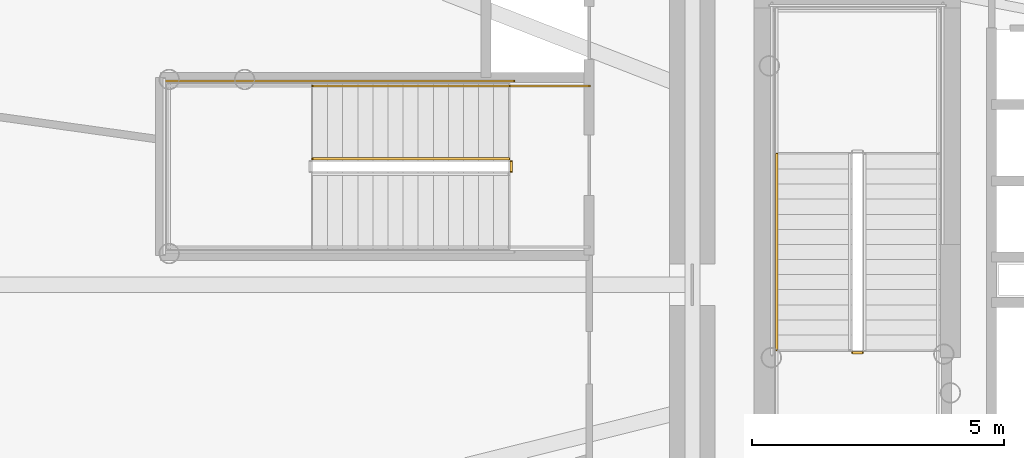
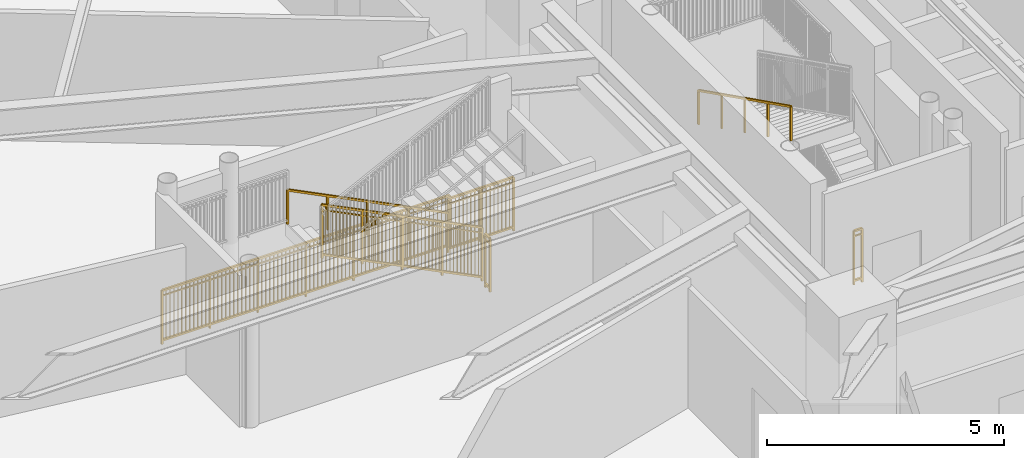
# One storey, part 20 of 27: 7 railings.
"""IFC4 building model written with IfcOpenShell, lengths in metres."""

from ifc_helpers import new_model, si_unit, direction, frame, origin, origin_2d, place, context, subcontext, project, spatial, rectangle, extrude, source, transform, mapped, material, type_object, element, save


model = new_model("IFC4")

# Units and contexts
model_context = context("Model", 3, precision=1e-05, world=origin(), true_north=direction((0.0, 1.0)))
body_context = subcontext(model_context, "Body", "Model", "MODEL_VIEW")
ifc_project = project(units=[si_unit("LENGTHUNIT", "METRE"), si_unit("AREAUNIT", "SQUARE_METRE"), si_unit("VOLUMEUNIT", "CUBIC_METRE"), si_unit("PLANEANGLEUNIT", "RADIAN"), si_unit("MASSUNIT", "GRAM", prefix="KILO")], contexts=[model_context])

# Site, building, storey
site_placement = place(None, origin())
site = spatial("IfcSite", under=ifc_project, at=site_placement, CompositionType="ELEMENT")
building_placement = place(site_placement, origin())
building = spatial("IfcBuilding", under=site, at=building_placement, Name="Linh Dai School and Residence Tower", CompositionType="ELEMENT")
storey_placement = place(building_placement, frame((0.0, 0.0, 18.60009765625)))
storey = spatial("IfcBuildingStorey", under=building, at=storey_placement, Name="L04", CompositionType="ELEMENT", Elevation=18.60009765625)

# Railings
ifc_material_1 = material(Name="Structural Steel S355JR", Category="steel")
railing_type_1 = type_object("IfcRailingType", Name="RL-ST-GUARD-1400", PredefinedType="GUARDRAIL", material=ifc_material_1)
shared_shape_1 = source(origin(), body_context, "Body", "SweptSolid", [
    extrude(rectangle(XDim=0.048095703125, YDim=0.048095703125, at=origin_2d()), frame((0.0, 0.0, 1.3759765625), z_axis=(-1.0, 0.0, 0.0), x_axis=(0.0, -1.0, 0.0)), (0.0, 0.0, 1.0), 0.199951171875),
    extrude(rectangle(XDim=0.048095703125, YDim=0.048095703125, at=origin_2d()), frame((0.0, 0.0, 0.10009765625), z_axis=(-1.0, 0.0, 0.0), x_axis=(0.0, -1.0, 0.0)), (0.0, 0.0, 1.0), 0.199951171875),
    extrude(rectangle(XDim=0.030029296875, YDim=0.030029296875, at=origin_2d()), frame((0.0, 0.0, 1.239990234375), z_axis=(-1.0, 0.0, 0.0), x_axis=(0.0, -1.0, 0.0)), (0.0, 0.0, 1.0), 0.199951171875),
    extrude(rectangle(XDim=0.0419921875, YDim=0.0419921875, at=origin_2d()), origin(), (0.0, 0.0, 1.0), 1.3759765625),
    extrude(rectangle(XDim=0.0419921875, YDim=0.0419921875, at=origin_2d()), frame((-0.199951171875, 0.0, 0.0)), (0.0, 0.0, 1.0), 1.3759765625),
])
railing_1_placement = place(storey_placement, frame((29.429931640625, 25.64990234375, 0.0)))
element("IfcRailing", 1, at=railing_1_placement, inside=storey, type_object=railing_type_1, Name="L04 ST1 stair guard 7", PredefinedType="GUARDRAIL", context=body_context, shape_type="MappedRepresentation", body=[
    mapped(shared_shape_1, transform((0.0, 0.0, 0.0), x_axis=(1.0, 0.0, 0.0), y_axis=(0.0, 1.0, 0.0), z_axis=(0.0, 0.0, 1.0), scale=1.0)),
])
ifc_material_2 = material(Name="Brushed Stainless Steel Handrail", Category="steel")
railing_type_2 = type_object("IfcRailingType", Name="RL-ST-HANDRAIL-900", PredefinedType="HANDRAIL", material=ifc_material_2)
shared_shape_2 = source(origin(), body_context, "Body", "SweptSolid", [
    extrude(rectangle(XDim=0.048095703125, YDim=0.048095703125, at=origin_2d()), frame((0.0, 0.0, 0.8759765625), z_axis=(0.0, -0.894438388696, 0.447191199406), x_axis=(1.0, 0.0, 0.0)), (0.0, 0.0, 1.0), 4.3603515625),
    extrude(rectangle(XDim=0.0419921875, YDim=0.0419921875, at=origin_2d()), origin(), (0.0, 0.0, 1.0), 0.8759765625),
    extrude(rectangle(XDim=0.0419921875, YDim=0.0419921875, at=origin_2d()), frame((0.0, -0.97509765625, 0.487548828125)), (0.0, 0.0, 1.0), 0.8759765625),
    extrude(rectangle(XDim=0.0419921875, YDim=0.0419921875, at=origin_2d()), frame((0.0, -1.9501953125, 0.97509765625)), (0.0, 0.0, 1.0), 0.8759765625),
    extrude(rectangle(XDim=0.0419921875, YDim=0.0419921875, at=origin_2d()), frame((0.0, -2.925048828125, 1.46240234375)), (0.0, 0.0, 1.0), 0.8759765625),
    extrude(rectangle(XDim=0.0419921875, YDim=0.0419921875, at=origin_2d()), frame((0.0, -3.900146484375, 1.949951171875)), (0.0, 0.0, 1.0), 0.8759765625),
])
railing_2_placement = place(storey_placement, frame((27.72998046875, 29.60009765625, 2.25)))
element("IfcRailing", 2, at=railing_2_placement, inside=storey, type_object=railing_type_2, Name="L04 ST1 stair handrail 2", PredefinedType="HANDRAIL", context=body_context, shape_type="MappedRepresentation", body=[
    mapped(shared_shape_2, transform((0.0, 0.0, 0.0), x_axis=(1.0, 0.0, 0.0), y_axis=(0.0, 1.0, 0.0), z_axis=(0.0, 0.0, 1.0), scale=1.0)),
])
shared_shape_3 = source(origin(), body_context, "Body", "SweptSolid", [
    extrude(rectangle(XDim=0.048095703125, YDim=0.048095703125, at=origin_2d()), frame((0.0, 0.0, 1.3759765625), z_axis=(0.0, -1.0, 0.0), x_axis=(1.0, 0.0, 0.0)), (0.0, 0.0, 1.0), 0.199951171875),
    extrude(rectangle(XDim=0.048095703125, YDim=0.048095703125, at=origin_2d()), frame((0.0, 0.0, 0.10009765625), z_axis=(0.0, -1.0, 0.0), x_axis=(1.0, 0.0, 0.0)), (0.0, 0.0, 1.0), 0.199951171875),
    extrude(rectangle(XDim=0.030029296875, YDim=0.030029296875, at=origin_2d()), frame((0.0, 0.0, 1.239990234375), z_axis=(0.0, -1.0, 0.0), x_axis=(1.0, 0.0, 0.0)), (0.0, 0.0, 1.0), 0.199951171875),
    extrude(rectangle(XDim=0.0419921875, YDim=0.0419921875, at=origin_2d()), origin(), (0.0, 0.0, 1.0), 1.3759765625),
    extrude(rectangle(XDim=0.0419921875, YDim=0.0419921875, at=origin_2d()), frame((0.0, -0.199951171875, 0.0)), (0.0, 0.0, 1.0), 1.3759765625),
])
railing_3_placement = place(storey_placement, frame((22.449951171875, 29.449951171875, 0.0)))
element("IfcRailing", 3, at=railing_3_placement, inside=storey, type_object=railing_type_1, Name="L04 STS1 stair guard 7", PredefinedType="GUARDRAIL", context=body_context, shape_type="MappedRepresentation", body=[
    mapped(shared_shape_3, transform((0.0, 0.0, 0.0), x_axis=(1.0, 0.0, 0.0), y_axis=(0.0, 1.0, 0.0), z_axis=(0.0, 0.0, 1.0), scale=1.0)),
])
shared_shape_4 = source(origin(), body_context, "Body", "SweptSolid", [
    extrude(rectangle(XDim=0.048095703125, YDim=0.048095703125, at=origin_2d()), frame((0.0, 0.0, 1.3759765625), z_axis=(-1.0, 0.0, 0.0), x_axis=(0.0, -1.0, 0.0)), (0.0, 0.0, 1.0), 1.60009765625),
    extrude(rectangle(XDim=0.048095703125, YDim=0.048095703125, at=origin_2d()), frame((0.0, 0.0, 0.10009765625), z_axis=(-1.0, 0.0, 0.0), x_axis=(0.0, -1.0, 0.0)), (0.0, 0.0, 1.0), 1.60009765625),
    extrude(rectangle(XDim=0.030029296875, YDim=0.030029296875, at=origin_2d()), frame((0.0, 0.0, 1.239990234375), z_axis=(-1.0, 0.0, 0.0), x_axis=(0.0, -1.0, 0.0)), (0.0, 0.0, 1.0), 1.60009765625),
    extrude(rectangle(XDim=0.02001953125, YDim=0.02001953125, at=origin_2d()), frame((-0.09423828125, 0.0, 0.10009765625)), (0.0, 0.0, 1.0), 1.251708984375),
    extrude(rectangle(XDim=0.02001953125, YDim=0.02001953125, at=origin_2d()), frame((-0.188232421875, 0.0, 0.10009765625)), (0.0, 0.0, 1.0), 1.251708984375),
    extrude(rectangle(XDim=0.02001953125, YDim=0.02001953125, at=origin_2d()), frame((-0.282470703125, 0.0, 0.10009765625)), (0.0, 0.0, 1.0), 1.251708984375),
    extrude(rectangle(XDim=0.02001953125, YDim=0.02001953125, at=origin_2d()), frame((-0.37646484375, 0.0, 0.10009765625)), (0.0, 0.0, 1.0), 1.251708984375),
    extrude(rectangle(XDim=0.02001953125, YDim=0.02001953125, at=origin_2d()), frame((-0.470703125, 0.0, 0.10009765625)), (0.0, 0.0, 1.0), 1.251708984375),
    extrude(rectangle(XDim=0.02001953125, YDim=0.02001953125, at=origin_2d()), frame((-0.564697265625, 0.0, 0.10009765625)), (0.0, 0.0, 1.0), 1.251708984375),
    extrude(rectangle(XDim=0.02001953125, YDim=0.02001953125, at=origin_2d()), frame((-0.658935546875, 0.0, 0.10009765625)), (0.0, 0.0, 1.0), 1.251708984375),
    extrude(rectangle(XDim=0.02001953125, YDim=0.02001953125, at=origin_2d()), frame((-0.7529296875, 0.0, 0.10009765625)), (0.0, 0.0, 1.0), 1.251708984375),
    extrude(rectangle(XDim=0.02001953125, YDim=0.02001953125, at=origin_2d()), frame((-0.84716796875, 0.0, 0.10009765625)), (0.0, 0.0, 1.0), 1.251708984375),
    extrude(rectangle(XDim=0.02001953125, YDim=0.02001953125, at=origin_2d()), frame((-0.941162109375, 0.0, 0.10009765625)), (0.0, 0.0, 1.0), 1.251708984375),
    extrude(rectangle(XDim=0.02001953125, YDim=0.02001953125, at=origin_2d()), frame((-1.035400390625, 0.0, 0.10009765625)), (0.0, 0.0, 1.0), 1.251708984375),
    extrude(rectangle(XDim=0.02001953125, YDim=0.02001953125, at=origin_2d()), frame((-1.12939453125, 0.0, 0.10009765625)), (0.0, 0.0, 1.0), 1.251708984375),
    extrude(rectangle(XDim=0.02001953125, YDim=0.02001953125, at=origin_2d()), frame((-1.2236328125, 0.0, 0.10009765625)), (0.0, 0.0, 1.0), 1.251708984375),
    extrude(rectangle(XDim=0.02001953125, YDim=0.02001953125, at=origin_2d()), frame((-1.317626953125, 0.0, 0.10009765625)), (0.0, 0.0, 1.0), 1.251708984375),
    extrude(rectangle(XDim=0.02001953125, YDim=0.02001953125, at=origin_2d()), frame((-1.411865234375, 0.0, 0.10009765625)), (0.0, 0.0, 1.0), 1.251708984375),
    extrude(rectangle(XDim=0.02001953125, YDim=0.02001953125, at=origin_2d()), frame((-1.505859375, 0.0, 0.10009765625)), (0.0, 0.0, 1.0), 1.251708984375),
    extrude(rectangle(XDim=0.0419921875, YDim=0.0419921875, at=origin_2d()), origin(), (0.0, 0.0, 1.0), 1.3759765625),
    extrude(rectangle(XDim=0.0419921875, YDim=0.0419921875, at=origin_2d()), frame((-0.800048828125, 0.0, 0.0)), (0.0, 0.0, 1.0), 1.3759765625),
    extrude(rectangle(XDim=0.0419921875, YDim=0.0419921875, at=origin_2d()), frame((-1.60009765625, 0.0, 0.0)), (0.0, 0.0, 1.0), 1.3759765625),
])
railing_4_placement = place(storey_placement, frame((24.0, 30.949951171875, 0.0)))
element("IfcRailing", 4, at=railing_4_placement, inside=storey, type_object=railing_type_1, Name="L04 STS1 stair guard 8", PredefinedType="GUARDRAIL", context=body_context, shape_type="MappedRepresentation", body=[
    mapped(shared_shape_4, transform((0.0, 0.0, 0.0), x_axis=(1.0, 0.0, 0.0), y_axis=(0.0, 1.0, 0.0), z_axis=(0.0, 0.0, 1.0), scale=1.0)),
])
shared_shape_5 = source(origin(), body_context, "Body", "SweptSolid", [
    extrude(rectangle(XDim=0.048095703125, YDim=0.048095703125, at=origin_2d()), frame((0.0, 0.0, 1.3759765625), z_axis=(-1.0, 0.0, 0.0), x_axis=(0.0, -1.0, 0.0)), (0.0, 0.0, 1.0), 7.0),
    extrude(rectangle(XDim=0.048095703125, YDim=0.048095703125, at=origin_2d()), frame((0.0, 0.0, 0.10009765625), z_axis=(-1.0, 0.0, 0.0), x_axis=(0.0, -1.0, 0.0)), (0.0, 0.0, 1.0), 7.0),
    extrude(rectangle(XDim=0.030029296875, YDim=0.030029296875, at=origin_2d()), frame((0.0, 0.0, 1.239990234375), z_axis=(-1.0, 0.0, 0.0), x_axis=(0.0, -1.0, 0.0)), (0.0, 0.0, 1.0), 7.0),
    extrude(rectangle(XDim=0.02001953125, YDim=0.02001953125, at=origin_2d()), frame((-0.09716796875, 0.0, 0.10009765625)), (0.0, 0.0, 1.0), 1.251708984375),
    extrude(rectangle(XDim=0.02001953125, YDim=0.02001953125, at=origin_2d()), frame((-0.1943359375, 0.0, 0.10009765625)), (0.0, 0.0, 1.0), 1.251708984375),
    extrude(rectangle(XDim=0.02001953125, YDim=0.02001953125, at=origin_2d()), frame((-0.291748046875, 0.0, 0.10009765625)), (0.0, 0.0, 1.0), 1.251708984375),
    extrude(rectangle(XDim=0.02001953125, YDim=0.02001953125, at=origin_2d()), frame((-0.388916015625, 0.0, 0.10009765625)), (0.0, 0.0, 1.0), 1.251708984375),
    extrude(rectangle(XDim=0.02001953125, YDim=0.02001953125, at=origin_2d()), frame((-0.486083984375, 0.0, 0.10009765625)), (0.0, 0.0, 1.0), 1.251708984375),
    extrude(rectangle(XDim=0.02001953125, YDim=0.02001953125, at=origin_2d()), frame((-0.583251953125, 0.0, 0.10009765625)), (0.0, 0.0, 1.0), 1.251708984375),
    extrude(rectangle(XDim=0.02001953125, YDim=0.02001953125, at=origin_2d()), frame((-0.6806640625, 0.0, 0.10009765625)), (0.0, 0.0, 1.0), 1.251708984375),
    extrude(rectangle(XDim=0.02001953125, YDim=0.02001953125, at=origin_2d()), frame((-0.77783203125, 0.0, 0.10009765625)), (0.0, 0.0, 1.0), 1.251708984375),
    extrude(rectangle(XDim=0.02001953125, YDim=0.02001953125, at=origin_2d()), frame((-0.875, 0.0, 0.10009765625)), (0.0, 0.0, 1.0), 1.251708984375),
    extrude(rectangle(XDim=0.02001953125, YDim=0.02001953125, at=origin_2d()), frame((-0.97216796875, 0.0, 0.10009765625)), (0.0, 0.0, 1.0), 1.251708984375),
    extrude(rectangle(XDim=0.02001953125, YDim=0.02001953125, at=origin_2d()), frame((-1.0693359375, 0.0, 0.10009765625)), (0.0, 0.0, 1.0), 1.251708984375),
    extrude(rectangle(XDim=0.02001953125, YDim=0.02001953125, at=origin_2d()), frame((-1.263916015625, 0.0, 0.10009765625)), (0.0, 0.0, 1.0), 1.251708984375),
    extrude(rectangle(XDim=0.02001953125, YDim=0.02001953125, at=origin_2d()), frame((-1.361083984375, 0.0, 0.10009765625)), (0.0, 0.0, 1.0), 1.251708984375),
    extrude(rectangle(XDim=0.02001953125, YDim=0.02001953125, at=origin_2d()), frame((-1.458251953125, 0.0, 0.10009765625)), (0.0, 0.0, 1.0), 1.251708984375),
    extrude(rectangle(XDim=0.02001953125, YDim=0.02001953125, at=origin_2d()), frame((-1.5556640625, 0.0, 0.10009765625)), (0.0, 0.0, 1.0), 1.251708984375),
    extrude(rectangle(XDim=0.02001953125, YDim=0.02001953125, at=origin_2d()), frame((-1.65283203125, 0.0, 0.10009765625)), (0.0, 0.0, 1.0), 1.251708984375),
    extrude(rectangle(XDim=0.02001953125, YDim=0.02001953125, at=origin_2d()), frame((-1.75, 0.0, 0.10009765625)), (0.0, 0.0, 1.0), 1.251708984375),
    extrude(rectangle(XDim=0.02001953125, YDim=0.02001953125, at=origin_2d()), frame((-1.84716796875, 0.0, 0.10009765625)), (0.0, 0.0, 1.0), 1.251708984375),
    extrude(rectangle(XDim=0.02001953125, YDim=0.02001953125, at=origin_2d()), frame((-1.9443359375, 0.0, 0.10009765625)), (0.0, 0.0, 1.0), 1.251708984375),
    extrude(rectangle(XDim=0.02001953125, YDim=0.02001953125, at=origin_2d()), frame((-2.041748046875, 0.0, 0.10009765625)), (0.0, 0.0, 1.0), 1.251708984375),
    extrude(rectangle(XDim=0.02001953125, YDim=0.02001953125, at=origin_2d()), frame((-2.138916015625, 0.0, 0.10009765625)), (0.0, 0.0, 1.0), 1.251708984375),
    extrude(rectangle(XDim=0.02001953125, YDim=0.02001953125, at=origin_2d()), frame((-2.236083984375, 0.0, 0.10009765625)), (0.0, 0.0, 1.0), 1.251708984375),
    extrude(rectangle(XDim=0.02001953125, YDim=0.02001953125, at=origin_2d()), frame((-2.4306640625, 0.0, 0.10009765625)), (0.0, 0.0, 1.0), 1.251708984375),
    extrude(rectangle(XDim=0.02001953125, YDim=0.02001953125, at=origin_2d()), frame((-2.52783203125, 0.0, 0.10009765625)), (0.0, 0.0, 1.0), 1.251708984375),
    extrude(rectangle(XDim=0.02001953125, YDim=0.02001953125, at=origin_2d()), frame((-2.625, 0.0, 0.10009765625)), (0.0, 0.0, 1.0), 1.251708984375),
    extrude(rectangle(XDim=0.02001953125, YDim=0.02001953125, at=origin_2d()), frame((-2.72216796875, 0.0, 0.10009765625)), (0.0, 0.0, 1.0), 1.251708984375),
    extrude(rectangle(XDim=0.02001953125, YDim=0.02001953125, at=origin_2d()), frame((-2.8193359375, 0.0, 0.10009765625)), (0.0, 0.0, 1.0), 1.251708984375),
    extrude(rectangle(XDim=0.02001953125, YDim=0.02001953125, at=origin_2d()), frame((-2.916748046875, 0.0, 0.10009765625)), (0.0, 0.0, 1.0), 1.251708984375),
    extrude(rectangle(XDim=0.02001953125, YDim=0.02001953125, at=origin_2d()), frame((-3.013916015625, 0.0, 0.10009765625)), (0.0, 0.0, 1.0), 1.251708984375),
    extrude(rectangle(XDim=0.02001953125, YDim=0.02001953125, at=origin_2d()), frame((-3.111083984375, 0.0, 0.10009765625)), (0.0, 0.0, 1.0), 1.251708984375),
    extrude(rectangle(XDim=0.02001953125, YDim=0.02001953125, at=origin_2d()), frame((-3.208251953125, 0.0, 0.10009765625)), (0.0, 0.0, 1.0), 1.251708984375),
    extrude(rectangle(XDim=0.02001953125, YDim=0.02001953125, at=origin_2d()), frame((-3.3056640625, 0.0, 0.10009765625)), (0.0, 0.0, 1.0), 1.251708984375),
    extrude(rectangle(XDim=0.02001953125, YDim=0.02001953125, at=origin_2d()), frame((-3.40283203125, 0.0, 0.10009765625)), (0.0, 0.0, 1.0), 1.251708984375),
    extrude(rectangle(XDim=0.02001953125, YDim=0.02001953125, at=origin_2d()), frame((-3.59716796875, 0.0, 0.10009765625)), (0.0, 0.0, 1.0), 1.251708984375),
    extrude(rectangle(XDim=0.02001953125, YDim=0.02001953125, at=origin_2d()), frame((-3.6943359375, 0.0, 0.10009765625)), (0.0, 0.0, 1.0), 1.251708984375),
    extrude(rectangle(XDim=0.02001953125, YDim=0.02001953125, at=origin_2d()), frame((-3.791748046875, 0.0, 0.10009765625)), (0.0, 0.0, 1.0), 1.251708984375),
    extrude(rectangle(XDim=0.02001953125, YDim=0.02001953125, at=origin_2d()), frame((-3.888916015625, 0.0, 0.10009765625)), (0.0, 0.0, 1.0), 1.251708984375),
    extrude(rectangle(XDim=0.02001953125, YDim=0.02001953125, at=origin_2d()), frame((-3.986083984375, 0.0, 0.10009765625)), (0.0, 0.0, 1.0), 1.251708984375),
    extrude(rectangle(XDim=0.02001953125, YDim=0.02001953125, at=origin_2d()), frame((-4.083251953125, 0.0, 0.10009765625)), (0.0, 0.0, 1.0), 1.251708984375),
    extrude(rectangle(XDim=0.02001953125, YDim=0.02001953125, at=origin_2d()), frame((-4.1806640625, 0.0, 0.10009765625)), (0.0, 0.0, 1.0), 1.251708984375),
    extrude(rectangle(XDim=0.02001953125, YDim=0.02001953125, at=origin_2d()), frame((-4.27783203125, 0.0, 0.10009765625)), (0.0, 0.0, 1.0), 1.251708984375),
    extrude(rectangle(XDim=0.02001953125, YDim=0.02001953125, at=origin_2d()), frame((-4.375, 0.0, 0.10009765625)), (0.0, 0.0, 1.0), 1.251708984375),
    extrude(rectangle(XDim=0.02001953125, YDim=0.02001953125, at=origin_2d()), frame((-4.47216796875, 0.0, 0.10009765625)), (0.0, 0.0, 1.0), 1.251708984375),
    extrude(rectangle(XDim=0.02001953125, YDim=0.02001953125, at=origin_2d()), frame((-4.5693359375, 0.0, 0.10009765625)), (0.0, 0.0, 1.0), 1.251708984375),
    extrude(rectangle(XDim=0.02001953125, YDim=0.02001953125, at=origin_2d()), frame((-4.763916015625, 0.0, 0.10009765625)), (0.0, 0.0, 1.0), 1.251708984375),
    extrude(rectangle(XDim=0.02001953125, YDim=0.02001953125, at=origin_2d()), frame((-4.861083984375, 0.0, 0.10009765625)), (0.0, 0.0, 1.0), 1.251708984375),
    extrude(rectangle(XDim=0.02001953125, YDim=0.02001953125, at=origin_2d()), frame((-4.958251953125, 0.0, 0.10009765625)), (0.0, 0.0, 1.0), 1.251708984375),
    extrude(rectangle(XDim=0.02001953125, YDim=0.02001953125, at=origin_2d()), frame((-5.0556640625, 0.0, 0.10009765625)), (0.0, 0.0, 1.0), 1.251708984375),
    extrude(rectangle(XDim=0.02001953125, YDim=0.02001953125, at=origin_2d()), frame((-5.15283203125, 0.0, 0.10009765625)), (0.0, 0.0, 1.0), 1.251708984375),
    extrude(rectangle(XDim=0.02001953125, YDim=0.02001953125, at=origin_2d()), frame((-5.25, 0.0, 0.10009765625)), (0.0, 0.0, 1.0), 1.251708984375),
    extrude(rectangle(XDim=0.02001953125, YDim=0.02001953125, at=origin_2d()), frame((-5.34716796875, 0.0, 0.10009765625)), (0.0, 0.0, 1.0), 1.251708984375),
    extrude(rectangle(XDim=0.02001953125, YDim=0.02001953125, at=origin_2d()), frame((-5.4443359375, 0.0, 0.10009765625)), (0.0, 0.0, 1.0), 1.251708984375),
    extrude(rectangle(XDim=0.02001953125, YDim=0.02001953125, at=origin_2d()), frame((-5.541748046875, 0.0, 0.10009765625)), (0.0, 0.0, 1.0), 1.251708984375),
    extrude(rectangle(XDim=0.02001953125, YDim=0.02001953125, at=origin_2d()), frame((-5.638916015625, 0.0, 0.10009765625)), (0.0, 0.0, 1.0), 1.251708984375),
    extrude(rectangle(XDim=0.02001953125, YDim=0.02001953125, at=origin_2d()), frame((-5.736083984375, 0.0, 0.10009765625)), (0.0, 0.0, 1.0), 1.251708984375),
    extrude(rectangle(XDim=0.02001953125, YDim=0.02001953125, at=origin_2d()), frame((-5.9306640625, 0.0, 0.10009765625)), (0.0, 0.0, 1.0), 1.251708984375),
    extrude(rectangle(XDim=0.02001953125, YDim=0.02001953125, at=origin_2d()), frame((-6.02783203125, 0.0, 0.10009765625)), (0.0, 0.0, 1.0), 1.251708984375),
    extrude(rectangle(XDim=0.02001953125, YDim=0.02001953125, at=origin_2d()), frame((-6.125, 0.0, 0.10009765625)), (0.0, 0.0, 1.0), 1.251708984375),
    extrude(rectangle(XDim=0.02001953125, YDim=0.02001953125, at=origin_2d()), frame((-6.22216796875, 0.0, 0.10009765625)), (0.0, 0.0, 1.0), 1.251708984375),
    extrude(rectangle(XDim=0.02001953125, YDim=0.02001953125, at=origin_2d()), frame((-6.3193359375, 0.0, 0.10009765625)), (0.0, 0.0, 1.0), 1.251708984375),
    extrude(rectangle(XDim=0.02001953125, YDim=0.02001953125, at=origin_2d()), frame((-6.416748046875, 0.0, 0.10009765625)), (0.0, 0.0, 1.0), 1.251708984375),
    extrude(rectangle(XDim=0.02001953125, YDim=0.02001953125, at=origin_2d()), frame((-6.513916015625, 0.0, 0.10009765625)), (0.0, 0.0, 1.0), 1.251708984375),
    extrude(rectangle(XDim=0.02001953125, YDim=0.02001953125, at=origin_2d()), frame((-6.611083984375, 0.0, 0.10009765625)), (0.0, 0.0, 1.0), 1.251708984375),
    extrude(rectangle(XDim=0.02001953125, YDim=0.02001953125, at=origin_2d()), frame((-6.708251953125, 0.0, 0.10009765625)), (0.0, 0.0, 1.0), 1.251708984375),
    extrude(rectangle(XDim=0.02001953125, YDim=0.02001953125, at=origin_2d()), frame((-6.8056640625, 0.0, 0.10009765625)), (0.0, 0.0, 1.0), 1.251708984375),
    extrude(rectangle(XDim=0.02001953125, YDim=0.02001953125, at=origin_2d()), frame((-6.90283203125, 0.0, 0.10009765625)), (0.0, 0.0, 1.0), 1.251708984375),
    extrude(rectangle(XDim=0.0419921875, YDim=0.0419921875, at=origin_2d()), origin(), (0.0, 0.0, 1.0), 1.3759765625),
    extrude(rectangle(XDim=0.0419921875, YDim=0.0419921875, at=origin_2d()), frame((-1.166748046875, 0.0, 0.0)), (0.0, 0.0, 1.0), 1.3759765625),
    extrude(rectangle(XDim=0.0419921875, YDim=0.0419921875, at=origin_2d()), frame((-2.333251953125, 0.0, 0.0)), (0.0, 0.0, 1.0), 1.3759765625),
    extrude(rectangle(XDim=0.0419921875, YDim=0.0419921875, at=origin_2d()), frame((-3.5, 0.0, 0.0)), (0.0, 0.0, 1.0), 1.3759765625),
    extrude(rectangle(XDim=0.0419921875, YDim=0.0419921875, at=origin_2d()), frame((-4.666748046875, 0.0, 0.0)), (0.0, 0.0, 1.0), 1.3759765625),
    extrude(rectangle(XDim=0.0419921875, YDim=0.0419921875, at=origin_2d()), frame((-5.833251953125, 0.0, 0.0)), (0.0, 0.0, 1.0), 1.3759765625),
    extrude(rectangle(XDim=0.0419921875, YDim=0.0419921875, at=origin_2d()), frame((-7.0, 0.0, 0.0)), (0.0, 0.0, 1.0), 1.3759765625),
])
railing_5_placement = place(storey_placement, frame((22.5, 31.050048828125, 0.0)))
element("IfcRailing", 5, at=railing_5_placement, inside=storey, type_object=railing_type_1, Name="L04 STS1 stair guard 10", PredefinedType="GUARDRAIL", context=body_context, shape_type="MappedRepresentation", body=[
    mapped(shared_shape_5, transform((0.0, 0.0, 0.0), x_axis=(1.0, 0.0, 0.0), y_axis=(0.0, 1.0, 0.0), z_axis=(0.0, 0.0, 1.0), scale=1.0)),
])
shared_shape_6 = source(origin(), body_context, "Body", "SweptSolid", [
    extrude(rectangle(XDim=0.048095703125, YDim=0.048095703125, at=origin_2d()), frame((0.0, 0.0, 1.3759765625), z_axis=(-0.894427191, 0.0, 0.4472135955), x_axis=(0.0, -1.0, 0.0)), (0.0, 0.0, 1.0), 4.360107421875),
    extrude(rectangle(XDim=0.048095703125, YDim=0.048095703125, at=origin_2d()), frame((0.0, 0.0, 0.10009765625), z_axis=(-0.894427191, 0.0, 0.4472135955), x_axis=(0.0, -1.0, 0.0)), (0.0, 0.0, 1.0), 4.360107421875),
    extrude(rectangle(XDim=0.030029296875, YDim=0.030029296875, at=origin_2d()), frame((0.0, 0.0, 1.239990234375), z_axis=(-0.894427191, 0.0, 0.4472135955), x_axis=(0.0, -1.0, 0.0)), (0.0, 0.0, 1.0), 4.360107421875),
    extrude(rectangle(XDim=0.02001953125, YDim=0.02001953125, at=origin_2d()), frame((-0.086669921875, 0.0, 0.143310546875)), (0.0, 0.0, 1.0), 1.251708984375),
    extrude(rectangle(XDim=0.02001953125, YDim=0.02001953125, at=origin_2d()), frame((-0.17333984375, 0.0, 0.186767578125)), (0.0, 0.0, 1.0), 1.251708984375),
    extrude(rectangle(XDim=0.02001953125, YDim=0.02001953125, at=origin_2d()), frame((-0.260009765625, 0.0, 0.22998046875)), (0.0, 0.0, 1.0), 1.251708984375),
    extrude(rectangle(XDim=0.02001953125, YDim=0.02001953125, at=origin_2d()), frame((-0.3466796875, 0.0, 0.2734375)), (0.0, 0.0, 1.0), 1.251708984375),
    extrude(rectangle(XDim=0.02001953125, YDim=0.02001953125, at=origin_2d()), frame((-0.433349609375, 0.0, 0.316650390625)), (0.0, 0.0, 1.0), 1.251708984375),
    extrude(rectangle(XDim=0.02001953125, YDim=0.02001953125, at=origin_2d()), frame((-0.52001953125, 0.0, 0.360107421875)), (0.0, 0.0, 1.0), 1.251708984375),
    extrude(rectangle(XDim=0.02001953125, YDim=0.02001953125, at=origin_2d()), frame((-0.606689453125, 0.0, 0.4033203125)), (0.0, 0.0, 1.0), 1.251708984375),
    extrude(rectangle(XDim=0.02001953125, YDim=0.02001953125, at=origin_2d()), frame((-0.693359375, 0.0, 0.44677734375)), (0.0, 0.0, 1.0), 1.251708984375),
    extrude(rectangle(XDim=0.02001953125, YDim=0.02001953125, at=origin_2d()), frame((-0.780029296875, 0.0, 0.489990234375)), (0.0, 0.0, 1.0), 1.251708984375),
    extrude(rectangle(XDim=0.02001953125, YDim=0.02001953125, at=origin_2d()), frame((-0.86669921875, 0.0, 0.533447265625)), (0.0, 0.0, 1.0), 1.251708984375),
    extrude(rectangle(XDim=0.02001953125, YDim=0.02001953125, at=origin_2d()), frame((-1.0400390625, 0.0, 0.6201171875)), (0.0, 0.0, 1.0), 1.251708984375),
    extrude(rectangle(XDim=0.02001953125, YDim=0.02001953125, at=origin_2d()), frame((-1.126708984375, 0.0, 0.663330078125)), (0.0, 0.0, 1.0), 1.251708984375),
    extrude(rectangle(XDim=0.02001953125, YDim=0.02001953125, at=origin_2d()), frame((-1.21337890625, 0.0, 0.706787109375)), (0.0, 0.0, 1.0), 1.251708984375),
    extrude(rectangle(XDim=0.02001953125, YDim=0.02001953125, at=origin_2d()), frame((-1.300048828125, 0.0, 0.75)), (0.0, 0.0, 1.0), 1.251708984375),
    extrude(rectangle(XDim=0.02001953125, YDim=0.02001953125, at=origin_2d()), frame((-1.38671875, 0.0, 0.79345703125)), (0.0, 0.0, 1.0), 1.251708984375),
    extrude(rectangle(XDim=0.02001953125, YDim=0.02001953125, at=origin_2d()), frame((-1.473388671875, 0.0, 0.836669921875)), (0.0, 0.0, 1.0), 1.251708984375),
    extrude(rectangle(XDim=0.02001953125, YDim=0.02001953125, at=origin_2d()), frame((-1.56005859375, 0.0, 0.880126953125)), (0.0, 0.0, 1.0), 1.251708984375),
    extrude(rectangle(XDim=0.02001953125, YDim=0.02001953125, at=origin_2d()), frame((-1.646728515625, 0.0, 0.92333984375)), (0.0, 0.0, 1.0), 1.251708984375),
    extrude(rectangle(XDim=0.02001953125, YDim=0.02001953125, at=origin_2d()), frame((-1.7333984375, 0.0, 0.966796875)), (0.0, 0.0, 1.0), 1.251708984375),
    extrude(rectangle(XDim=0.02001953125, YDim=0.02001953125, at=origin_2d()), frame((-1.820068359375, 0.0, 1.010009765625)), (0.0, 0.0, 1.0), 1.251708984375),
    extrude(rectangle(XDim=0.02001953125, YDim=0.02001953125, at=origin_2d()), frame((-1.90673828125, 0.0, 1.053466796875)), (0.0, 0.0, 1.0), 1.251708984375),
    extrude(rectangle(XDim=0.02001953125, YDim=0.02001953125, at=origin_2d()), frame((-1.9931640625, 0.0, 1.0966796875)), (0.0, 0.0, 1.0), 1.251708984375),
    extrude(rectangle(XDim=0.02001953125, YDim=0.02001953125, at=origin_2d()), frame((-2.079833984375, 0.0, 1.14013671875)), (0.0, 0.0, 1.0), 1.251708984375),
    extrude(rectangle(XDim=0.02001953125, YDim=0.02001953125, at=origin_2d()), frame((-2.16650390625, 0.0, 1.183349609375)), (0.0, 0.0, 1.0), 1.251708984375),
    extrude(rectangle(XDim=0.02001953125, YDim=0.02001953125, at=origin_2d()), frame((-2.253173828125, 0.0, 1.226806640625)), (0.0, 0.0, 1.0), 1.251708984375),
    extrude(rectangle(XDim=0.02001953125, YDim=0.02001953125, at=origin_2d()), frame((-2.33984375, 0.0, 1.27001953125)), (0.0, 0.0, 1.0), 1.251708984375),
    extrude(rectangle(XDim=0.02001953125, YDim=0.02001953125, at=origin_2d()), frame((-2.426513671875, 0.0, 1.3134765625)), (0.0, 0.0, 1.0), 1.251708984375),
    extrude(rectangle(XDim=0.02001953125, YDim=0.02001953125, at=origin_2d()), frame((-2.51318359375, 0.0, 1.356689453125)), (0.0, 0.0, 1.0), 1.251708984375),
    extrude(rectangle(XDim=0.02001953125, YDim=0.02001953125, at=origin_2d()), frame((-2.599853515625, 0.0, 1.400146484375)), (0.0, 0.0, 1.0), 1.251708984375),
    extrude(rectangle(XDim=0.02001953125, YDim=0.02001953125, at=origin_2d()), frame((-2.6865234375, 0.0, 1.443359375)), (0.0, 0.0, 1.0), 1.251708984375),
    extrude(rectangle(XDim=0.02001953125, YDim=0.02001953125, at=origin_2d()), frame((-2.773193359375, 0.0, 1.48681640625)), (0.0, 0.0, 1.0), 1.251708984375),
    extrude(rectangle(XDim=0.02001953125, YDim=0.02001953125, at=origin_2d()), frame((-2.85986328125, 0.0, 1.530029296875)), (0.0, 0.0, 1.0), 1.251708984375),
    extrude(rectangle(XDim=0.02001953125, YDim=0.02001953125, at=origin_2d()), frame((-3.033203125, 0.0, 1.61669921875)), (0.0, 0.0, 1.0), 1.251708984375),
    extrude(rectangle(XDim=0.02001953125, YDim=0.02001953125, at=origin_2d()), frame((-3.119873046875, 0.0, 1.66015625)), (0.0, 0.0, 1.0), 1.251708984375),
    extrude(rectangle(XDim=0.02001953125, YDim=0.02001953125, at=origin_2d()), frame((-3.20654296875, 0.0, 1.703369140625)), (0.0, 0.0, 1.0), 1.251708984375),
    extrude(rectangle(XDim=0.02001953125, YDim=0.02001953125, at=origin_2d()), frame((-3.293212890625, 0.0, 1.746826171875)), (0.0, 0.0, 1.0), 1.251708984375),
    extrude(rectangle(XDim=0.02001953125, YDim=0.02001953125, at=origin_2d()), frame((-3.3798828125, 0.0, 1.7900390625)), (0.0, 0.0, 1.0), 1.251708984375),
    extrude(rectangle(XDim=0.02001953125, YDim=0.02001953125, at=origin_2d()), frame((-3.466552734375, 0.0, 1.83349609375)), (0.0, 0.0, 1.0), 1.251708984375),
    extrude(rectangle(XDim=0.02001953125, YDim=0.02001953125, at=origin_2d()), frame((-3.55322265625, 0.0, 1.876708984375)), (0.0, 0.0, 1.0), 1.251708984375),
    extrude(rectangle(XDim=0.02001953125, YDim=0.02001953125, at=origin_2d()), frame((-3.639892578125, 0.0, 1.920166015625)), (0.0, 0.0, 1.0), 1.251708984375),
    extrude(rectangle(XDim=0.02001953125, YDim=0.02001953125, at=origin_2d()), frame((-3.7265625, 0.0, 1.96337890625)), (0.0, 0.0, 1.0), 1.251708984375),
    extrude(rectangle(XDim=0.02001953125, YDim=0.02001953125, at=origin_2d()), frame((-3.813232421875, 0.0, 2.0068359375)), (0.0, 0.0, 1.0), 1.251708984375),
    extrude(rectangle(XDim=0.0419921875, YDim=0.0419921875, at=origin_2d()), origin(), (0.0, 0.0, 1.0), 1.3759765625),
    extrude(rectangle(XDim=0.0419921875, YDim=0.0419921875, at=origin_2d()), frame((-0.97509765625, 0.0, 0.487548828125)), (0.0, 0.0, 1.0), 1.3759765625),
    extrude(rectangle(XDim=0.0419921875, YDim=0.0419921875, at=origin_2d()), frame((-1.949951171875, 0.0, 0.97509765625)), (0.0, 0.0, 1.0), 1.3759765625),
    extrude(rectangle(XDim=0.0419921875, YDim=0.0419921875, at=origin_2d()), frame((-2.9248046875, 0.0, 1.46240234375)), (0.0, 0.0, 1.0), 1.3759765625),
    extrude(rectangle(XDim=0.0419921875, YDim=0.0419921875, at=origin_2d()), frame((-3.89990234375, 0.0, 1.949951171875)), (0.0, 0.0, 1.0), 1.3759765625),
])
railing_6_placement = place(storey_placement, frame((22.39990234375, 29.5, 0.14990234375)))
element("IfcRailing", 6, at=railing_6_placement, inside=storey, type_object=railing_type_1, Name="L04 STS1 stair guard 1", PredefinedType="GUARDRAIL", context=body_context, shape_type="MappedRepresentation", body=[
    mapped(shared_shape_6, transform((0.0, 0.0, 0.0), x_axis=(1.0, 0.0, 0.0), y_axis=(0.0, 1.0, 0.0), z_axis=(0.0, 0.0, 1.0), scale=1.0)),
])
shared_shape_7 = source(origin(), body_context, "Body", "SweptSolid", [
    extrude(rectangle(XDim=0.048095703125, YDim=0.048095703125, at=origin_2d()), frame((0.0, 0.0, 0.8759765625), z_axis=(-0.894427191, 0.0, 0.4472135955), x_axis=(0.0, -1.0, 0.0)), (0.0, 0.0, 1.0), 4.360107421875),
    extrude(rectangle(XDim=0.0419921875, YDim=0.0419921875, at=origin_2d()), origin(), (0.0, 0.0, 1.0), 0.8759765625),
    extrude(rectangle(XDim=0.0419921875, YDim=0.0419921875, at=origin_2d()), frame((-0.97509765625, 0.0, 0.487548828125)), (0.0, 0.0, 1.0), 0.8759765625),
    extrude(rectangle(XDim=0.0419921875, YDim=0.0419921875, at=origin_2d()), frame((-1.949951171875, 0.0, 0.97509765625)), (0.0, 0.0, 1.0), 0.8759765625),
    extrude(rectangle(XDim=0.0419921875, YDim=0.0419921875, at=origin_2d()), frame((-2.9248046875, 0.0, 1.46240234375)), (0.0, 0.0, 1.0), 0.8759765625),
    extrude(rectangle(XDim=0.0419921875, YDim=0.0419921875, at=origin_2d()), frame((-3.89990234375, 0.0, 1.949951171875)), (0.0, 0.0, 1.0), 0.8759765625),
])
railing_7_placement = place(storey_placement, frame((22.39990234375, 30.949951171875, 0.14990234375)))
element("IfcRailing", 7, at=railing_7_placement, inside=storey, type_object=railing_type_2, Name="L04 STS1 stair handrail 1", PredefinedType="HANDRAIL", context=body_context, shape_type="MappedRepresentation", body=[
    mapped(shared_shape_7, transform((0.0, 0.0, 0.0), x_axis=(1.0, 0.0, 0.0), y_axis=(0.0, 1.0, 0.0), z_axis=(0.0, 0.0, 1.0), scale=1.0)),
])

save(model, "model.ifc")
